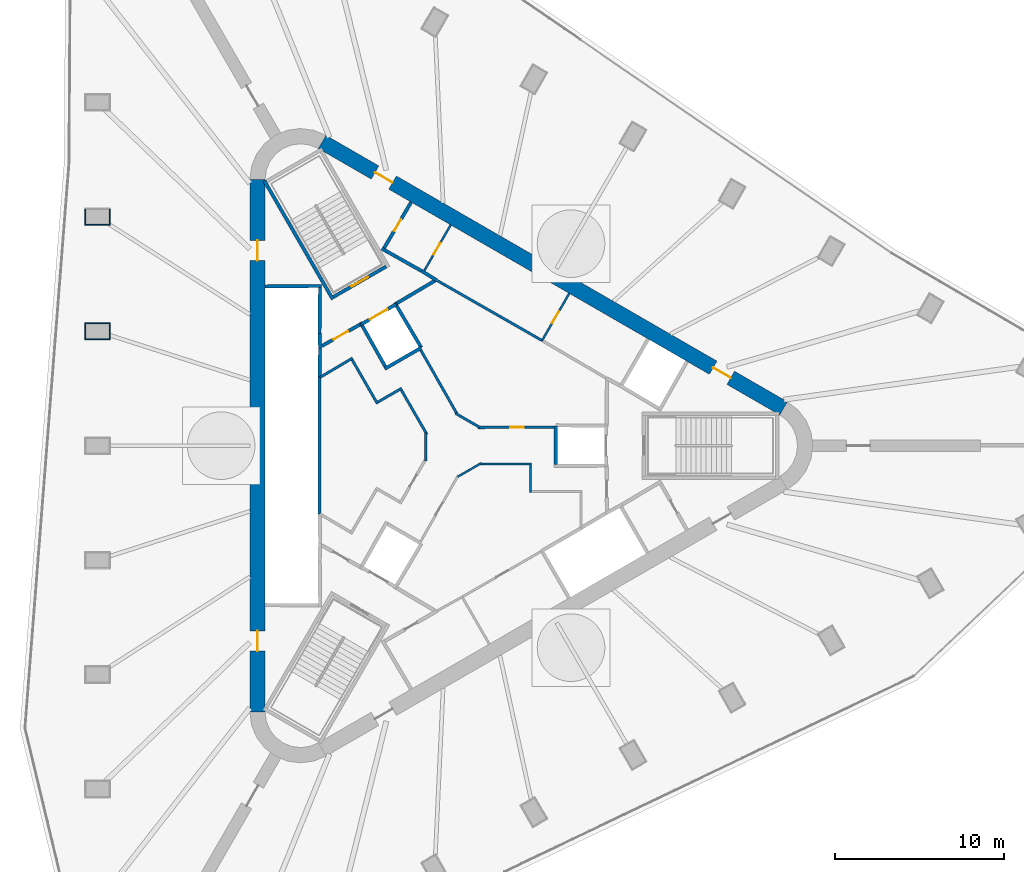
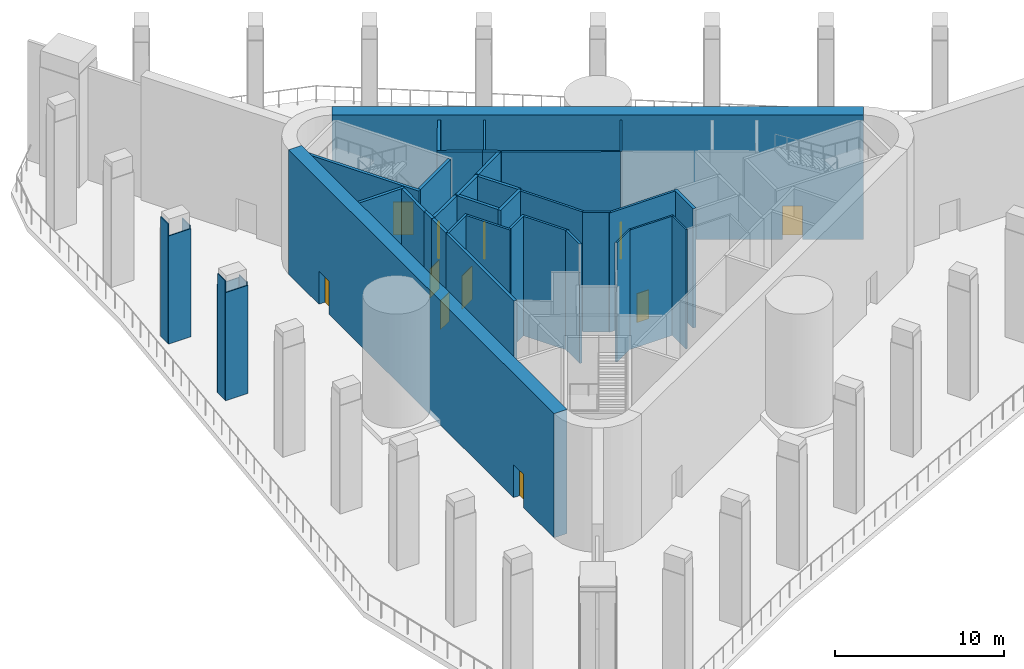
# One storey, part 4 of 10: 40 walls, 11 doors, 11 openings.
"""IFC4 building model written with IfcOpenShell, lengths in metres."""

from ifc_helpers import new_model, si_unit, direction, frame, frame_2d, origin, place, context, subcontext, project, spatial, rectangle, extrude, material, layer, layer_set, type_object, element, fill, save


model = new_model("IFC4")

# Units and contexts
model_context = context("Model", 3, precision=1e-05, world=origin(), true_north=direction((0.0, 1.0)))
body_context = subcontext(model_context, "Body", "Model", "MODEL_VIEW")
ifc_project = project(units=[si_unit("LENGTHUNIT", "METRE"), si_unit("AREAUNIT", "SQUARE_METRE"), si_unit("VOLUMEUNIT", "CUBIC_METRE"), si_unit("PLANEANGLEUNIT", "RADIAN"), si_unit("MASSUNIT", "GRAM", prefix="KILO")], contexts=[model_context])

# Site, building, storey
site_placement = place(None, origin())
site = spatial("IfcSite", under=ifc_project, at=site_placement, CompositionType="ELEMENT")
building_placement = place(site_placement, origin())
building = spatial("IfcBuilding", under=site, at=building_placement, Name="Tanit Gate Tower", CompositionType="ELEMENT")
storey_placement = place(building_placement, frame((0.0, 0.0, 283.699951171875)))
storey = spatial("IfcBuildingStorey", under=building, at=storey_placement, Name="L64", CompositionType="ELEMENT", Elevation=283.699951171875)

# Wall, openings, doors
ifc_material_1 = material(Name="Concrete C50/60", Category="concrete")
ifc_layer_1 = layer(ifc_material_1, 0.89990234375)
ifc_layer_set_1 = layer_set([ifc_layer_1], Name="CORE WALL 900 C50/60")
wall_type_1 = type_object("IfcWallType", Name="CORE WALL 900 C50/60", PredefinedType="SHEAR", material=ifc_layer_set_1)
wall_1_placement = place(storey_placement, frame((19.47509765625, 2.20849609375, 0.0), z_axis=(0.0, 0.0, 1.0), x_axis=(-0.866028369851, 0.499994862586, 0.0)))
wall_1 = element("IfcWall", 1, at=wall_1_placement, inside=storey, type_object=wall_type_1, Name="CORE WALL", PredefinedType="SHEAR", context=body_context, shape_type="SweptSolid", body=[
    extrude(rectangle(XDim=31.523193359375, YDim=0.89990234375, at=frame_2d((15.76171875, 0.0))), origin(), (0.0, 0.0, 1.0), 9.0),
])
opening_1_placement = place(wall_1_placement, frame((3.611572265625, 0.0, 0.0)))
opening_1 = element("IfcOpeningElement", 2, at=opening_1_placement, cuts=wall_1, Name="Opening F12-64-FL1", PredefinedType="OPENING", context=body_context, shape_type="SweptSolid", body=[
    extrude(rectangle(XDim=1.199951171875, YDim=2.39990234375, at=frame_2d((0.60009765625, 1.199951171875))), frame((0.0, 0.4599609375, 0.0), z_axis=(0.0, -1.0, 0.0), x_axis=(1.0, 0.0, 0.0)), (0.0, 0.0, 1.0), 0.919921875),
])
opening_2_placement = place(wall_1_placement, frame((26.711669921875, 0.0, 0.0)))
opening_2 = element("IfcOpeningElement", 3, at=opening_2_placement, cuts=wall_1, Name="Opening F12-64-S2", PredefinedType="OPENING", context=body_context, shape_type="SweptSolid", body=[
    extrude(rectangle(XDim=1.199951171875, YDim=2.39990234375, at=frame_2d((0.60009765625, 1.199951171875))), frame((0.0, 0.4599609375, 0.0), z_axis=(0.0, -1.0, 0.0), x_axis=(1.0, 0.0, 0.0)), (0.0, 0.0, 1.0), 0.919921875),
])
ifc_material_2 = material(Name="Fire-rated steel door leaf", Category="steel")
door_type_1 = type_object("IfcDoorType", Name="INT-DOOR-FIRE-LOBBY-1200", OperationType="NOTDEFINED", PredefinedType="USERDEFINED", material=ifc_material_2)
door_1_placement = place(opening_1_placement, origin())
door_1 = element("IfcDoor", 4, at=door_1_placement, inside=storey, type_object=door_type_1, Name="Door F12-64-FL1", ObjectType="FIRE DOOR", OperationType="SINGLE_SWING_RIGHT", OverallHeight=2.39990234375, OverallWidth=1.199951171875, PredefinedType="USERDEFINED", context=body_context, shape_type="SweptSolid", body=[
    extrude(rectangle(XDim=1.199951171875, YDim=2.39990234375, at=frame_2d((0.60009765625, 1.199951171875))), frame((0.0, 0.02490234375, 0.0), z_axis=(0.0, -1.0, 0.0), x_axis=(1.0, 0.0, 0.0)), (0.0, 0.0, 1.0), 0.050048828125),
])
fill(opening_1, door_1)
door_2_placement = place(opening_2_placement, origin())
door_2 = element("IfcDoor", 5, at=door_2_placement, inside=storey, type_object=door_type_1, Name="Door F12-64-S2", ObjectType="FIRE DOOR", OperationType="SINGLE_SWING_LEFT", OverallHeight=2.39990234375, OverallWidth=1.199951171875, PredefinedType="USERDEFINED", context=body_context, shape_type="SweptSolid", body=[
    extrude(rectangle(XDim=1.199951171875, YDim=2.39990234375, at=frame_2d((0.60009765625, 1.199951171875))), frame((0.0, 0.02490234375, 0.0), z_axis=(0.0, -1.0, 0.0), x_axis=(1.0, 0.0, 0.0)), (0.0, 0.0, 1.0), 0.050048828125),
])
fill(opening_2, door_2)

wall_2_placement = place(storey_placement, frame((-11.64990234375, 15.76171875, 0.0), z_axis=(0.0, 0.0, 1.0), x_axis=(0.0, -1.0, 0.0)))
wall_2 = element("IfcWall", 6, at=wall_2_placement, inside=storey, type_object=wall_type_1, Name="CORE WALL", PredefinedType="SHEAR", context=body_context, shape_type="SweptSolid", body=[
    extrude(rectangle(XDim=31.5234375, YDim=0.89990234375, at=frame_2d((15.76171875, 0.0))), origin(), (0.0, 0.0, 1.0), 9.0),
])
opening_3_placement = place(wall_2_placement, frame((3.61181640625, 0.0, 0.0)))
opening_3 = element("IfcOpeningElement", 7, at=opening_3_placement, cuts=wall_2, Name="Opening F12-64-FL2", PredefinedType="OPENING", context=body_context, shape_type="SweptSolid", body=[
    extrude(rectangle(XDim=1.199951171875, YDim=2.39990234375, at=frame_2d((0.60009765625, 1.199951171875))), frame((0.0, 0.4599609375, 0.0), z_axis=(0.0, -1.0, 0.0), x_axis=(1.0, 0.0, 0.0)), (0.0, 0.0, 1.0), 0.919921875),
])
opening_4_placement = place(wall_2_placement, frame((26.711669921875, 0.0, 0.0)))
opening_4 = element("IfcOpeningElement", 8, at=opening_4_placement, cuts=wall_2, Name="Opening F12-64-S3", PredefinedType="OPENING", context=body_context, shape_type="SweptSolid", body=[
    extrude(rectangle(XDim=1.199951171875, YDim=2.39990234375, at=frame_2d((0.60009765625, 1.199951171875))), frame((0.0, 0.4599609375, 0.0), z_axis=(0.0, -1.0, 0.0), x_axis=(1.0, 0.0, 0.0)), (0.0, 0.0, 1.0), 0.919921875),
])
door_3_placement = place(opening_3_placement, origin())
door_3 = element("IfcDoor", 9, at=door_3_placement, inside=storey, type_object=door_type_1, Name="Door F12-64-FL2", ObjectType="FIRE DOOR", OperationType="SINGLE_SWING_LEFT", OverallHeight=2.39990234375, OverallWidth=1.199951171875, PredefinedType="USERDEFINED", context=body_context, shape_type="SweptSolid", body=[
    extrude(rectangle(XDim=1.199951171875, YDim=2.39990234375, at=frame_2d((0.60009765625, 1.199951171875))), frame((0.0, 0.02490234375, 0.0), z_axis=(0.0, -1.0, 0.0), x_axis=(1.0, 0.0, 0.0)), (0.0, 0.0, 1.0), 0.050048828125),
])
fill(opening_3, door_3)
door_4_placement = place(opening_4_placement, origin())
door_4 = element("IfcDoor", 10, at=door_4_placement, inside=storey, type_object=door_type_1, Name="Door F12-64-S3", ObjectType="FIRE DOOR", OperationType="SINGLE_SWING_LEFT", OverallHeight=2.39990234375, OverallWidth=1.199951171875, PredefinedType="USERDEFINED", context=body_context, shape_type="SweptSolid", body=[
    extrude(rectangle(XDim=1.199951171875, YDim=2.39990234375, at=frame_2d((0.60009765625, 1.199951171875))), frame((0.0, 0.02490234375, 0.0), z_axis=(0.0, -1.0, 0.0), x_axis=(1.0, 0.0, 0.0)), (0.0, 0.0, 1.0), 0.050048828125),
])
fill(opening_4, door_4)

# Walls
ifc_material_3 = material(Name="Bronze anodised aluminium cladding", Category="aluminium")
ifc_layer_2 = layer(ifc_material_3, 0.06005859375)
ifc_layer_set_2 = layer_set([ifc_layer_2], Name="Column casing bronze 60")
wall_type_2 = type_object("IfcWallType", Name="Column casing bronze 60", PredefinedType="SOLIDWALL", material=ifc_layer_set_2)
wall_3_placement = place(storey_placement, frame((-20.361328125, 13.06201171875, 0.0), z_axis=(0.0, 0.0, 1.0), x_axis=(-1.0, 0.0, 0.0)))
element("IfcWall", 11, at=wall_3_placement, inside=storey, type_object=wall_type_2, Name="Column casing L64 P-W3.L1", PredefinedType="SOLIDWALL", context=body_context, shape_type="SweptSolid", body=[
    extrude(rectangle(XDim=1.52001953125, YDim=0.06005859375, at=frame_2d((0.760009765625, 0.0))), origin(), (0.0, 0.0, 1.0), 7.8359375),
])
wall_4_placement = place(storey_placement, frame((-21.851318359375, 13.991943359375, 0.0), z_axis=(0.0, 0.0, 1.0), x_axis=(0.0, -1.0, 0.0)))
element("IfcWall", 12, at=wall_4_placement, inside=storey, type_object=wall_type_2, Name="Column casing L64 P-W3.S1", PredefinedType="SOLIDWALL", context=body_context, shape_type="SweptSolid", body=[
    extrude(rectangle(XDim=0.89990234375, YDim=0.06005859375, at=frame_2d((0.449951171875, 0.0))), origin(), (0.0, 0.0, 1.0), 8.650146484375),
])
wall_5_placement = place(storey_placement, frame((-20.391357421875, 13.991943359375, 0.0), z_axis=(0.0, 0.0, 1.0), x_axis=(0.0, -1.0, 0.0)))
element("IfcWall", 13, at=wall_5_placement, inside=storey, type_object=wall_type_2, Name="Column casing L64 P-W3.S2", PredefinedType="SOLIDWALL", context=body_context, shape_type="SweptSolid", body=[
    extrude(rectangle(XDim=0.89990234375, YDim=0.06005859375, at=frame_2d((0.449951171875, 0.0))), origin(), (0.0, 0.0, 1.0), 8.050048828125),
])
for number, where, z_axis, x_axis, name in (
    (14, (-20.361328125, 6.291015625, 0.0), (0.0, 0.0, 1.0), (-1.0, 0.0, 0.0), "Column casing L64 P-W4.L1"),
    (15, (-20.361328125, 7.2509765625, 0.0), (0.0, 0.0, 1.0), (-1.0, 0.0, 0.0), "Column casing L64 P-W4.L2"),
):
    element("IfcWall", number, at=place(storey_placement, frame(where, z_axis=z_axis, x_axis=x_axis)), inside=storey, type_object=wall_type_2, Name=name, PredefinedType="SOLIDWALL", context=body_context, shape_type="SweptSolid", body=[
        extrude(rectangle(XDim=1.52001953125, YDim=0.06005859375, at=frame_2d((0.760009765625, 0.0))), origin(), (0.0, 0.0, 1.0), 7.8359375),
    ])
wall_6_placement = place(storey_placement, frame((-21.851318359375, 7.220947265625, 0.0), z_axis=(0.0, 0.0, 1.0), x_axis=(0.0, -1.0, 0.0)))
element("IfcWall", 16, at=wall_6_placement, inside=storey, type_object=wall_type_2, Name="Column casing L64 P-W4.S1", PredefinedType="SOLIDWALL", context=body_context, shape_type="SweptSolid", body=[
    extrude(rectangle(XDim=0.89990234375, YDim=0.06005859375, at=frame_2d((0.449951171875, 0.0))), origin(), (0.0, 0.0, 1.0), 8.650146484375),
])
wall_7_placement = place(storey_placement, frame((-20.391357421875, 7.220947265625, 0.0), z_axis=(0.0, 0.0, 1.0), x_axis=(0.0, -1.0, 0.0)))
element("IfcWall", 17, at=wall_7_placement, inside=storey, type_object=wall_type_2, Name="Column casing L64 P-W4.S2", PredefinedType="SOLIDWALL", context=body_context, shape_type="SweptSolid", body=[
    extrude(rectangle(XDim=0.89990234375, YDim=0.06005859375, at=frame_2d((0.449951171875, 0.0))), origin(), (0.0, 0.0, 1.0), 8.050048828125),
])
ifc_material_4 = material(Name="Fire-rated gypsum board partition")
ifc_layer_3 = layer(ifc_material_4, 0.199951171875)
ifc_layer_set_3 = layer_set([ifc_layer_3], Name="INT-WALL-COMPARTMENT")
wall_type_3 = type_object("IfcWallType", Name="INT-WALL-COMPARTMENT", PredefinedType="PARTITIONING", material=ifc_layer_set_3)
wall_8_placement = place(storey_placement, frame((-1.940673828125, 10.338623046875, 0.0), z_axis=(0.0, 0.0, 1.0), x_axis=(0.850216889117, -0.526432561171, 0.0)))
element("IfcWall", 18, at=wall_8_placement, inside=storey, type_object=wall_type_3, Name="Wall Compartment W048", PredefinedType="PARTITIONING", context=body_context, shape_type="SweptSolid", body=[
    extrude(rectangle(XDim=1.078369140625, YDim=0.199951171875, at=frame_2d((0.5390625, 0.0))), origin(), (0.0, 0.0, 1.0), 8.650146484375),
])
wall_9_placement = place(storey_placement, frame((-4.296142578125, 11.658935546875, 0.0), z_axis=(0.0, 0.0, 1.0), x_axis=(0.871534483978, -0.490334215854, 0.0)))
element("IfcWall", 19, at=wall_9_placement, inside=storey, type_object=wall_type_3, Name="Wall Compartment W050", PredefinedType="PARTITIONING", context=body_context, shape_type="SweptSolid", body=[
    extrude(rectangle(XDim=2.7001953125, YDim=0.199951171875, at=frame_2d((1.35009765625, 0.0))), origin(), (0.0, 0.0, 1.0), 8.650146484375),
])

# Wall, opening, door
wall_10_placement = place(storey_placement, frame((-2.557861328125, 14.409423828125, 0.0), z_axis=(0.0, 0.0, 1.0), x_axis=(-0.508018930956, -0.861345903683, 0.0)))
wall_10 = element("IfcWall", 20, at=wall_10_placement, inside=storey, type_object=wall_type_3, Name="Wall Compartment W051", PredefinedType="PARTITIONING", context=body_context, shape_type="SweptSolid", body=[
    extrude(rectangle(XDim=3.150146484375, YDim=0.199951171875, at=frame_2d((1.5751953125, 0.0))), origin(), (0.0, 0.0, 1.0), 8.650146484375),
])
opening_5_placement = place(wall_10_placement, frame((1.175048828125, 0.0, 0.0)))
opening_5 = element("IfcOpeningElement", 21, at=opening_5_placement, cuts=wall_10, Name="Opening R08-64-15", PredefinedType="OPENING", context=body_context, shape_type="SweptSolid", body=[
    extrude(rectangle(XDim=0.800048828125, YDim=2.10009765625, at=frame_2d((0.39990234375, 1.050048828125))), frame((0.0, 0.10986328125, 0.0), z_axis=(0.0, -1.0, 0.0), x_axis=(1.0, 0.0, 0.0)), (0.0, 0.0, 1.0), 0.219970703125),
])
ifc_material_5 = material(Name="Timber door leaf", Category="wood")
door_type_2 = type_object("IfcDoorType", Name="INT-DOOR-RISER-800", OperationType="NOTDEFINED", PredefinedType="USERDEFINED", material=ifc_material_5)
door_5_placement = place(opening_5_placement, origin())
door_5 = element("IfcDoor", 22, at=door_5_placement, inside=storey, type_object=door_type_2, Name="Door R08-64-15", ObjectType="FIRE DOOR", OperationType="SINGLE_SWING_RIGHT", OverallHeight=2.10009765625, OverallWidth=0.800048828125, PredefinedType="USERDEFINED", context=body_context, shape_type="SweptSolid", body=[
    extrude(rectangle(XDim=0.800048828125, YDim=2.10009765625, at=frame_2d((0.39990234375, 1.050048828125))), frame((0.0, 0.02490234375, 0.0), z_axis=(0.0, -1.0, 0.0), x_axis=(1.0, 0.0, 0.0)), (0.0, 0.0, 1.0), 0.050048828125),
])
fill(opening_5, door_5)

# Wall
wall_11_placement = place(storey_placement, frame((-1.0546875, 9.818359375, 0.0), z_axis=(0.0, 0.0, 1.0), x_axis=(-0.860614334655, -0.50925726994, 0.0)))
element("IfcWall", 23, at=wall_11_placement, inside=storey, type_object=wall_type_3, Name="Wall Compartment W061", PredefinedType="PARTITIONING", context=body_context, shape_type="SweptSolid", body=[
    extrude(rectangle(XDim=2.725830078125, YDim=0.199951171875, at=frame_2d((1.36279296875, 0.0))), origin(), (0.0, 0.0, 1.0), 8.650146484375),
])

# Wall, opening, door
wall_12_placement = place(storey_placement, frame((-5.600341796875, 7.16015625, 0.0), z_axis=(0.0, 0.0, 1.0), x_axis=(-0.871363259478, -0.490638431059, 0.0)))
wall_12 = element("IfcWall", 24, at=wall_12_placement, inside=storey, type_object=wall_type_3, Name="Wall Compartment W062", PredefinedType="PARTITIONING", context=body_context, shape_type="SweptSolid", body=[
    extrude(rectangle(XDim=2.5810546875, YDim=0.199951171875, at=frame_2d((1.29052734375, 0.0))), origin(), (0.0, 0.0, 1.0), 8.650146484375),
])
opening_6_placement = place(wall_12_placement, frame((0.79052734375, 0.0, 0.0)))
opening_6 = element("IfcOpeningElement", 25, at=opening_6_placement, cuts=wall_12, Name="Opening F10-64-05", PredefinedType="OPENING", context=body_context, shape_type="SweptSolid", body=[
    extrude(rectangle(XDim=1.0, YDim=2.10009765625, at=frame_2d((0.5, 1.050048828125))), frame((0.0, 0.10986328125, 0.0), z_axis=(0.0, -1.0, 0.0), x_axis=(1.0, 0.0, 0.0)), (0.0, 0.0, 1.0), 0.219970703125),
])
ifc_material_6 = material(Name="Fire-rated steel door leaf", Category="steel")
door_type_3 = type_object("IfcDoorType", Name="INT-DOOR-FIRE-1000", OperationType="NOTDEFINED", PredefinedType="USERDEFINED", material=ifc_material_6)
door_6_placement = place(opening_6_placement, origin())
door_6 = element("IfcDoor", 26, at=door_6_placement, inside=storey, type_object=door_type_3, Name="Door F10-64-05", ObjectType="FIRE DOOR", OperationType="SINGLE_SWING_LEFT", OverallHeight=2.10009765625, OverallWidth=1.0, PredefinedType="USERDEFINED", context=body_context, shape_type="SweptSolid", body=[
    extrude(rectangle(XDim=1.0, YDim=2.10009765625, at=frame_2d((0.5, 1.050048828125))), frame((0.0, 0.02490234375, 0.0), z_axis=(0.0, -1.0, 0.0), x_axis=(1.0, 0.0, 0.0)), (0.0, 0.0, 1.0), 0.050048828125),
])
fill(opening_6, door_6)

ifc_material_7 = material(Name="Gypsum board partition")
ifc_layer_4 = layer(ifc_material_7, 0.1201171875)
ifc_layer_set_4 = layer_set([ifc_layer_4], Name="INT-WALL-PARTITION")
wall_type_4 = type_object("IfcWallType", Name="INT-WALL-PARTITION", PredefinedType="PARTITIONING", material=ifc_layer_set_4)
wall_13_placement = place(storey_placement, frame((5.170166015625, 6.19482421875, 0.0), z_axis=(0.0, 0.0, 1.0), x_axis=(0.499984717929, 0.866034226713, 0.0)))
wall_13 = element("IfcWall", 27, at=wall_13_placement, inside=storey, type_object=wall_type_4, Name="Wall Partition W044", PredefinedType="PARTITIONING", context=body_context, shape_type="SweptSolid", body=[
    extrude(rectangle(XDim=3.25, YDim=0.1201171875, at=frame_2d((1.625, 0.0))), origin(), (0.0, 0.0, 1.0), 8.650146484375),
])
opening_7_placement = place(wall_13_placement, frame((1.22509765625, 0.0, 0.0)))
opening_7 = element("IfcOpeningElement", 28, at=opening_7_placement, cuts=wall_13, Name="Opening R08-64-13", PredefinedType="OPENING", context=body_context, shape_type="SweptSolid", body=[
    extrude(rectangle(XDim=0.800048828125, YDim=2.10009765625, at=frame_2d((0.39990234375, 1.050048828125))), frame((0.0, 0.070068359375, 0.0), z_axis=(0.0, -1.0, 0.0), x_axis=(1.0, 0.0, 0.0)), (0.0, 0.0, 1.0), 0.14013671875),
])
door_7_placement = place(opening_7_placement, origin())
door_7 = element("IfcDoor", 29, at=door_7_placement, inside=storey, type_object=door_type_2, Name="Door R08-64-13", ObjectType="FIRE DOOR", OperationType="SINGLE_SWING_LEFT", OverallHeight=2.10009765625, OverallWidth=0.800048828125, PredefinedType="USERDEFINED", context=body_context, shape_type="SweptSolid", body=[
    extrude(rectangle(XDim=0.800048828125, YDim=2.10009765625, at=frame_2d((0.39990234375, 1.050048828125))), frame((0.0, 0.02490234375, 0.0), z_axis=(0.0, -1.0, 0.0), x_axis=(1.0, 0.0, 0.0)), (0.0, 0.0, 1.0), 0.050048828125),
])
fill(opening_7, door_7)

wall_14_placement = place(storey_placement, frame((-0.2197265625, 13.0595703125, 0.0), z_axis=(0.0, 0.0, 1.0), x_axis=(-0.499984717929, -0.866034226713, 0.0)))
wall_14 = element("IfcWall", 30, at=wall_14_placement, inside=storey, type_object=wall_type_4, Name="Wall Partition W047", PredefinedType="PARTITIONING", context=body_context, shape_type="SweptSolid", body=[
    extrude(rectangle(XDim=3.25, YDim=0.1201171875, at=frame_2d((1.625, 0.0))), origin(), (0.0, 0.0, 1.0), 8.650146484375),
])
opening_8_placement = place(wall_14_placement, frame((1.22509765625, 0.0, 0.0)))
opening_8 = element("IfcOpeningElement", 31, at=opening_8_placement, cuts=wall_14, Name="Opening R08-64-14", PredefinedType="OPENING", context=body_context, shape_type="SweptSolid", body=[
    extrude(rectangle(XDim=0.800048828125, YDim=2.10009765625, at=frame_2d((0.39990234375, 1.050048828125))), frame((0.0, 0.070068359375, 0.0), z_axis=(0.0, -1.0, 0.0), x_axis=(1.0, 0.0, 0.0)), (0.0, 0.0, 1.0), 0.14013671875),
])
door_8_placement = place(opening_8_placement, origin())
door_8 = element("IfcDoor", 32, at=door_8_placement, inside=storey, type_object=door_type_2, Name="Door R08-64-14", ObjectType="FIRE DOOR", OperationType="SINGLE_SWING_LEFT", OverallHeight=2.10009765625, OverallWidth=0.800048828125, PredefinedType="USERDEFINED", context=body_context, shape_type="SweptSolid", body=[
    extrude(rectangle(XDim=0.800048828125, YDim=2.10009765625, at=frame_2d((0.39990234375, 1.050048828125))), frame((0.0, 0.02490234375, 0.0), z_axis=(0.0, -1.0, 0.0), x_axis=(1.0, 0.0, 0.0)), (0.0, 0.0, 1.0), 0.050048828125),
])
fill(opening_8, door_8)

# Walls
wall_15_placement = place(storey_placement, frame((1.60546875, -1.02294921875, 0.0), z_axis=(0.0, 0.0, 1.0), x_axis=(-0.866001581989, -0.50004125829, 0.0)))
element("IfcWall", 33, at=wall_15_placement, inside=storey, type_object=wall_type_4, Name="Wall Partition W069", PredefinedType="PARTITIONING", context=body_context, shape_type="SweptSolid", body=[
    extrude(rectangle(XDim=1.635009765625, YDim=0.1201171875, at=frame_2d((0.8173828125, 0.0))), origin(), (0.0, 0.0, 1.0), 8.650146484375),
])
wall_16_placement = place(storey_placement, frame((4.56005859375, -1.074951171875, 0.0), z_axis=(0.0, 0.0, 1.0), x_axis=(-1.0, 0.0, 0.0)))
element("IfcWall", 34, at=wall_16_placement, inside=storey, type_object=wall_type_4, Name="Wall Partition W070", PredefinedType="PARTITIONING", context=body_context, shape_type="SweptSolid", body=[
    extrude(rectangle(XDim=3.02587890625, YDim=0.1201171875, at=frame_2d((1.512939453125, 0.0))), origin(), (0.0, 0.0, 1.0), 8.650146484375),
])
wall_17_placement = place(storey_placement, frame((4.5, -2.760009765625, 0.0), z_axis=(0.0, 0.0, 1.0), x_axis=(0.0, 1.0, 0.0)))
element("IfcWall", 35, at=wall_17_placement, inside=storey, type_object=wall_type_4, Name="Wall Partition W071", PredefinedType="PARTITIONING", context=body_context, shape_type="SweptSolid", body=[
    extrude(rectangle(XDim=1.625, YDim=0.1201171875, at=frame_2d((0.8125, 0.0))), origin(), (0.0, 0.0, 1.0), 8.650146484375),
])
ifc_material_8 = material(Name="Fire-rated gypsum board partition")
ifc_layer_5 = layer(ifc_material_8, 0.14990234375)
ifc_layer_set_5 = layer_set([ifc_layer_5], Name="INT-WALL-RISER")
wall_type_5 = type_object("IfcWallType", Name="INT-WALL-RISER", PredefinedType="PLUMBINGWALL", material=ifc_layer_set_5)
wall_18_placement = place(storey_placement, frame((5.1591796875, 6.23583984375, 0.0), z_axis=(0.0, 0.0, 1.0), x_axis=(-0.868105023632, 0.496380567654, 0.0)))
element("IfcWall", 36, at=wall_18_placement, inside=storey, type_object=wall_type_5, Name="Wall Riser W049", PredefinedType="PLUMBINGWALL", context=body_context, shape_type="SweptSolid", body=[
    extrude(rectangle(XDim=7.072265625, YDim=0.14990234375, at=frame_2d((3.5361328125, 0.0))), origin(), (0.0, 0.0, 1.0), 8.650146484375),
])

# Wall, opening, door
wall_19_placement = place(storey_placement, frame((1.3876953125, 1.07421875, 0.0), z_axis=(0.0, 0.0, 1.0), x_axis=(0.99997856967, 0.006546770205, 0.0)))
wall_19 = element("IfcWall", 37, at=wall_19_placement, inside=storey, type_object=wall_type_5, Name="Wall Riser W065", PredefinedType="PLUMBINGWALL", context=body_context, shape_type="SweptSolid", body=[
    extrude(rectangle(XDim=4.51220703125, YDim=0.14990234375, at=frame_2d((2.256103515625, 0.0))), origin(), (0.0, 0.0, 1.0), 8.650146484375),
])
opening_9_placement = place(wall_19_placement, frame((1.920166015625, 0.0, 0.0)))
opening_9 = element("IfcOpeningElement", 38, at=opening_9_placement, cuts=wall_19, Name="Opening R08-64-10", PredefinedType="OPENING", context=body_context, shape_type="SweptSolid", body=[
    extrude(rectangle(XDim=0.800048828125, YDim=2.10009765625, at=frame_2d((0.39990234375, 1.050048828125))), frame((0.0, 0.0849609375, 0.0), z_axis=(0.0, -1.0, 0.0), x_axis=(1.0, 0.0, 0.0)), (0.0, 0.0, 1.0), 0.169921875),
])
door_9_placement = place(opening_9_placement, origin())
door_9 = element("IfcDoor", 39, at=door_9_placement, inside=storey, type_object=door_type_2, Name="Door R08-64-10", ObjectType="FIRE DOOR", OperationType="SINGLE_SWING_LEFT", OverallHeight=2.10009765625, OverallWidth=0.800048828125, PredefinedType="USERDEFINED", context=body_context, shape_type="SweptSolid", body=[
    extrude(rectangle(XDim=0.800048828125, YDim=2.10009765625, at=frame_2d((0.39990234375, 1.050048828125))), frame((0.0, 0.02490234375, 0.0), z_axis=(0.0, -1.0, 0.0), x_axis=(1.0, 0.0, 0.0)), (0.0, 0.0, 1.0), 0.050048828125),
])
fill(opening_9, door_9)

# Walls
wall_20_placement = place(storey_placement, frame((0.0625, 1.9140625, 0.0), z_axis=(0.0, 0.0, 1.0), x_axis=(0.866018462269, -0.500012022864, 0.0)))
element("IfcWall", 40, at=wall_20_placement, inside=storey, type_object=wall_type_5, Name="Wall Riser W066", PredefinedType="PLUMBINGWALL", context=body_context, shape_type="SweptSolid", body=[
    extrude(rectangle(XDim=1.654296875, YDim=0.14990234375, at=frame_2d((0.8271484375, 0.0))), origin(), (0.0, 0.0, 1.0), 8.650146484375),
])
wall_21_placement = place(storey_placement, frame((-1.994140625, 5.661376953125, 0.0), z_axis=(0.0, 0.0, 1.0), x_axis=(0.494341211302, -0.869267948798, 0.0)))
element("IfcWall", 41, at=wall_21_placement, inside=storey, type_object=wall_type_5, Name="Wall Riser W067", PredefinedType="PLUMBINGWALL", context=body_context, shape_type="SweptSolid", body=[
    extrude(rectangle(XDim=4.36083984375, YDim=0.14990234375, at=frame_2d((2.180419921875, 0.0))), origin(), (0.0, 0.0, 1.0), 8.650146484375),
])
wall_22_placement = place(storey_placement, frame((-6.023681640625, 5.183349609375, 0.0), z_axis=(0.0, 0.0, 1.0), x_axis=(-0.860126804455, -0.510080268447, 0.0)))
element("IfcWall", 42, at=wall_22_placement, inside=storey, type_object=wall_type_5, Name="Wall Riser W074", PredefinedType="PLUMBINGWALL", context=body_context, shape_type="SweptSolid", body=[
    extrude(rectangle(XDim=2.239501953125, YDim=0.14990234375, at=frame_2d((1.11962890625, 0.0))), origin(), (0.0, 0.0, 1.0), 8.650146484375),
])
wall_23_placement = place(storey_placement, frame((-4.55078125, 2.482177734375, 0.0), z_axis=(0.0, 0.0, 1.0), x_axis=(-0.499990139034, 0.866031096941, 0.0)))
element("IfcWall", 43, at=wall_23_placement, inside=storey, type_object=wall_type_5, Name="Wall Riser W075", PredefinedType="PLUMBINGWALL", context=body_context, shape_type="SweptSolid", body=[
    extrude(rectangle(XDim=3.0, YDim=0.14990234375, at=frame_2d((1.5, 0.0))), origin(), (0.0, 0.0, 1.0), 8.650146484375),
])
wall_24_placement = place(storey_placement, frame((-3.115966796875, 3.397216796875, 0.0), z_axis=(0.0, 0.0, 1.0), x_axis=(-0.866053003207, -0.499952193351, 0.0)))
element("IfcWall", 44, at=wall_24_placement, inside=storey, type_object=wall_type_5, Name="Wall Riser W076", PredefinedType="PLUMBINGWALL", context=body_context, shape_type="SweptSolid", body=[
    extrude(rectangle(XDim=1.625244140625, YDim=0.14990234375, at=frame_2d((0.8125, 0.0))), origin(), (0.0, 0.0, 1.0), 8.650146484375),
])
wall_25_placement = place(storey_placement, frame((-1.623779296875, 0.66259765625, 0.0), z_axis=(0.0, 0.0, 1.0), x_axis=(-0.500035348339, 0.866004994449, 0.0)))
element("IfcWall", 45, at=wall_25_placement, inside=storey, type_object=wall_type_5, Name="Wall Riser W077", PredefinedType="PLUMBINGWALL", context=body_context, shape_type="SweptSolid", body=[
    extrude(rectangle(XDim=3.039306640625, YDim=0.14990234375, at=frame_2d((1.51953125, 0.0))), origin(), (0.0, 0.0, 1.0), 8.650146484375),
])
wall_26_placement = place(storey_placement, frame((-1.688720703125, -0.90478515625, 0.0), z_axis=(0.0, 0.0, 1.0), x_axis=(0.0, 1.0, 0.0)))
element("IfcWall", 46, at=wall_26_placement, inside=storey, type_object=wall_type_5, Name="Wall Riser W078", PredefinedType="PLUMBINGWALL", context=body_context, shape_type="SweptSolid", body=[
    extrude(rectangle(XDim=1.656494140625, YDim=0.14990234375, at=frame_2d((0.828125, 0.0))), origin(), (0.0, 0.0, 1.0), 8.650146484375),
])
ifc_material_9 = material(Name="Gypsum shaft wall system")
ifc_layer_6 = layer(ifc_material_9, 0.199951171875)
ifc_layer_set_6 = layer_set([ifc_layer_6], Name="INT-WALL-SHAFT")
wall_type_6 = type_object("IfcWallType", Name="INT-WALL-SHAFT", PredefinedType="PLUMBINGWALL", material=ifc_layer_set_6)
wall_27_placement = place(storey_placement, frame((-11.199951171875, 9.419921875, 0.0), z_axis=(0.0, 0.0, 1.0), x_axis=(0.999957167047, 0.009255488683, 0.0)))
element("IfcWall", 47, at=wall_27_placement, inside=storey, type_object=wall_type_6, Name="Wall Shaft W001", PredefinedType="PLUMBINGWALL", context=body_context, shape_type="SweptSolid", body=[
    extrude(rectangle(XDim=3.35009765625, YDim=0.199951171875, at=frame_2d((1.675048828125, 0.0))), origin(), (0.0, 0.0, 1.0), 8.650146484375),
])
wall_28_placement = place(storey_placement, frame((-7.951171875, 9.35009765625, 0.0), z_axis=(0.0, 0.0, 1.0), x_axis=(-0.011120469654, -0.999938165666, 0.0)))
element("IfcWall", 48, at=wall_28_placement, inside=storey, type_object=wall_type_6, Name="Wall Shaft W002", PredefinedType="PLUMBINGWALL", context=body_context, shape_type="SweptSolid", body=[
    extrude(rectangle(XDim=2.700439453125, YDim=0.199951171875, at=frame_2d((1.35009765625, 0.0))), origin(), (0.0, 0.0, 1.0), 8.650146484375),
])
wall_29_placement = place(storey_placement, frame((-7.97705078125, 6.650146484375, 0.0), z_axis=(0.0, 0.0, 1.0), x_axis=(0.030861509705, -0.999523670164, 0.0)))
element("IfcWall", 49, at=wall_29_placement, inside=storey, type_object=wall_type_6, Name="Wall Shaft W003", PredefinedType="PLUMBINGWALL", context=body_context, shape_type="SweptSolid", body=[
    extrude(rectangle(XDim=0.878173828125, YDim=0.199951171875, at=frame_2d((0.43896484375, 0.0))), origin(), (0.0, 0.0, 1.0), 8.650146484375),
])
wall_30_placement = place(storey_placement, frame((-7.94921875, 5.894775390625, 0.0), z_axis=(0.0, 0.0, 1.0), x_axis=(-0.012042535896, -0.999927486035, 0.0)))
element("IfcWall", 50, at=wall_30_placement, inside=storey, type_object=wall_type_6, Name="Wall Shaft W004", PredefinedType="PLUMBINGWALL", context=body_context, shape_type="SweptSolid", body=[
    extrude(rectangle(XDim=1.844970703125, YDim=0.199951171875, at=frame_2d((0.92236328125, 0.0))), origin(), (0.0, 0.0, 1.0), 8.650146484375),
])
wall_31_placement = place(storey_placement, frame((-7.97998046875, 4.050048828125, 0.0), z_axis=(0.0, 0.0, 1.0), x_axis=(0.0, -1.0, 0.0)))
element("IfcWall", 51, at=wall_31_placement, inside=storey, type_object=wall_type_6, Name="Wall Shaft W005", PredefinedType="PLUMBINGWALL", context=body_context, shape_type="SweptSolid", body=[
    extrude(rectangle(XDim=8.10009765625, YDim=0.199951171875, at=frame_2d((4.050048828125, 0.0))), origin(), (0.0, 0.0, 1.0), 8.650146484375),
])
wall_32_placement = place(storey_placement, frame((6.0, -1.10009765625, 0.0), z_axis=(0.0, 0.0, 1.0), x_axis=(0.0, 1.0, 0.0)))
element("IfcWall", 52, at=wall_32_placement, inside=storey, type_object=wall_type_6, Name="Wall Shaft W027", PredefinedType="PLUMBINGWALL", context=body_context, shape_type="SweptSolid", body=[
    extrude(rectangle(XDim=2.279541015625, YDim=0.199951171875, at=frame_2d((1.1396484375, 0.0))), origin(), (0.0, 0.0, 1.0), 8.650146484375),
])

# Wall, opening, door
wall_33_placement = place(storey_placement, frame((-5.524169921875, 7.168212890625, 0.0), z_axis=(0.0, 0.0, 1.0), x_axis=(0.866024647952, 0.500001309137, 0.0)))
wall_33 = element("IfcWall", 53, at=wall_33_placement, inside=storey, type_object=wall_type_6, Name="Wall Shaft W032", PredefinedType="PLUMBINGWALL", context=body_context, shape_type="SweptSolid", body=[
    extrude(rectangle(XDim=2.39990234375, YDim=0.199951171875, at=frame_2d((1.199951171875, 0.0))), origin(), (0.0, 0.0, 1.0), 8.650146484375),
])
opening_10_placement = place(wall_33_placement, frame((0.60009765625, 0.0, 0.0)))
opening_10 = element("IfcOpeningElement", 54, at=opening_10_placement, cuts=wall_33, Name="Opening LDFL2-L64", PredefinedType="OPENING", context=body_context, shape_type="SweptSolid", body=[
    extrude(rectangle(XDim=1.199951171875, YDim=2.39990234375, at=frame_2d((0.60009765625, 1.199951171875))), frame((0.0, 0.10986328125, 0.0), z_axis=(0.0, -1.0, 0.0), x_axis=(1.0, 0.0, 0.0)), (0.0, 0.0, 1.0), 0.219970703125),
])
ifc_material_10 = material(Name="Stainless steel sliding door leaf", Category="steel")
door_type_4 = type_object("IfcDoorType", Name="INT-DOOR-LANDING-1200", OperationType="NOTDEFINED", PredefinedType="USERDEFINED", material=ifc_material_10)
door_10_placement = place(opening_10_placement, origin())
door_10 = element("IfcDoor", 55, at=door_10_placement, inside=storey, type_object=door_type_4, Name="Door LDFL2-L64", ObjectType="LANDING DOOR", OperationType="SLIDING_TO_LEFT", OverallHeight=2.39990234375, OverallWidth=1.199951171875, PredefinedType="USERDEFINED", context=body_context, shape_type="SweptSolid", body=[
    extrude(rectangle(XDim=1.199951171875, YDim=2.39990234375, at=frame_2d((0.60009765625, 1.199951171875))), frame((0.0, 0.02490234375, 0.0), z_axis=(0.0, -1.0, 0.0), x_axis=(1.0, 0.0, 0.0)), (0.0, 0.0, 1.0), 0.050048828125),
])
fill(opening_10, door_10)

# Walls
wall_34_placement = place(storey_placement, frame((-3.53759765625, 8.46533203125, 0.0), z_axis=(0.0, 0.0, 1.0), x_axis=(0.508647062354, -0.860975125052, 0.0)))
element("IfcWall", 56, at=wall_34_placement, inside=storey, type_object=wall_type_6, Name="Wall Shaft W033", PredefinedType="PLUMBINGWALL", context=body_context, shape_type="SweptSolid", body=[
    extrude(rectangle(XDim=3.10009765625, YDim=0.199951171875, at=frame_2d((1.550048828125, 0.0))), origin(), (0.0, 0.0, 1.0), 8.650146484375),
])
wall_35_placement = place(storey_placement, frame((-1.978515625, 5.785888671875, 0.0), z_axis=(0.0, 0.0, 1.0), x_axis=(-0.866016689309, -0.500015093611, 0.0)))
element("IfcWall", 57, at=wall_35_placement, inside=storey, type_object=wall_type_6, Name="Wall Shaft W034", PredefinedType="PLUMBINGWALL", context=body_context, shape_type="SweptSolid", body=[
    extrude(rectangle(XDim=2.4794921875, YDim=0.199951171875, at=frame_2d((1.23974609375, 0.0))), origin(), (0.0, 0.0, 1.0), 8.650146484375),
])
wall_36_placement = place(storey_placement, frame((-5.5625, 7.29638671875, 0.0), z_axis=(0.0, 0.0, 1.0), x_axis=(0.49134651263, -0.870964180966, 0.0)))
element("IfcWall", 58, at=wall_36_placement, inside=storey, type_object=wall_type_6, Name="Wall Shaft W035", PredefinedType="PLUMBINGWALL", context=body_context, shape_type="SweptSolid", body=[
    extrude(rectangle(XDim=3.000244140625, YDim=0.199951171875, at=frame_2d((1.5, 0.0))), origin(), (0.0, 0.0, 1.0), 8.650146484375),
])
ifc_material_11 = material(Name="Concrete C40/50", Category="concrete")
ifc_layer_7 = layer(ifc_material_11, 0.199951171875)
ifc_layer_set_7 = layer_set([ifc_layer_7], Name="INT-WALL-STAIR")
wall_type_7 = type_object("IfcWallType", Name="INT-WALL-STAIR", PredefinedType="SHEAR", material=ifc_layer_set_7)
wall_37_placement = place(storey_placement, frame((-11.245361328125, 15.677734375, -0.39990234375), z_axis=(0.0, 0.0, 1.0), x_axis=(0.499977274689, -0.866038523851, 0.0)))
element("IfcWall", 59, at=wall_37_placement, inside=storey, type_object=wall_type_7, Name="Wall Stair W028", PredefinedType="SHEAR", context=body_context, shape_type="SweptSolid", body=[
    extrude(rectangle(XDim=8.10009765625, YDim=0.199951171875, at=frame_2d((4.050048828125, 0.0))), origin(), (0.0, 0.0, 1.0), 9.050048828125),
])

# Wall, opening, door
wall_38_placement = place(storey_placement, frame((-7.158935546875, 8.799560546875, -0.39990234375), z_axis=(0.0, 0.0, 1.0), x_axis=(0.866047807691, 0.499961193289, 0.0)))
wall_38 = element("IfcWall", 60, at=wall_38_placement, inside=storey, type_object=wall_type_7, Name="Wall Stair W031", PredefinedType="SHEAR", context=body_context, shape_type="SweptSolid", body=[
    extrude(rectangle(XDim=3.599853515625, YDim=0.199951171875, at=frame_2d((1.7998046875, 0.0))), origin(), (0.0, 0.0, 1.0), 9.050048828125),
])
opening_11_placement = place(wall_38_placement, frame((1.25, 0.0, 0.39990234375)))
opening_11 = element("IfcOpeningElement", 61, at=opening_11_placement, cuts=wall_38, Name="Opening S11-64-04", PredefinedType="OPENING", context=body_context, shape_type="SweptSolid", body=[
    extrude(rectangle(XDim=1.10009765625, YDim=2.10009765625, at=frame_2d((0.550048828125, 1.050048828125))), frame((0.0, 0.10986328125, 0.0), z_axis=(0.0, -1.0, 0.0), x_axis=(1.0, 0.0, 0.0)), (0.0, 0.0, 1.0), 0.219970703125),
])
ifc_material_12 = material(Name="Timber door leaf", Category="wood")
door_type_5 = type_object("IfcDoorType", Name="INT-DOOR-STAIR-1100", OperationType="NOTDEFINED", PredefinedType="USERDEFINED", material=ifc_material_12)
door_11_placement = place(opening_11_placement, origin())
door_11 = element("IfcDoor", 62, at=door_11_placement, inside=storey, type_object=door_type_5, Name="Door S11-64-04", ObjectType="FIRE DOOR", OperationType="SINGLE_SWING_RIGHT", OverallHeight=2.10009765625, OverallWidth=1.10009765625, PredefinedType="USERDEFINED", context=body_context, shape_type="SweptSolid", body=[
    extrude(rectangle(XDim=1.10009765625, YDim=2.10009765625, at=frame_2d((0.550048828125, 1.050048828125))), frame((0.0, 0.02490234375, 0.0), z_axis=(0.0, -1.0, 0.0), x_axis=(1.0, 0.0, 0.0)), (0.0, 0.0, 1.0), 0.050048828125),
])
fill(opening_11, door_11)

save(model, "model.ifc")
